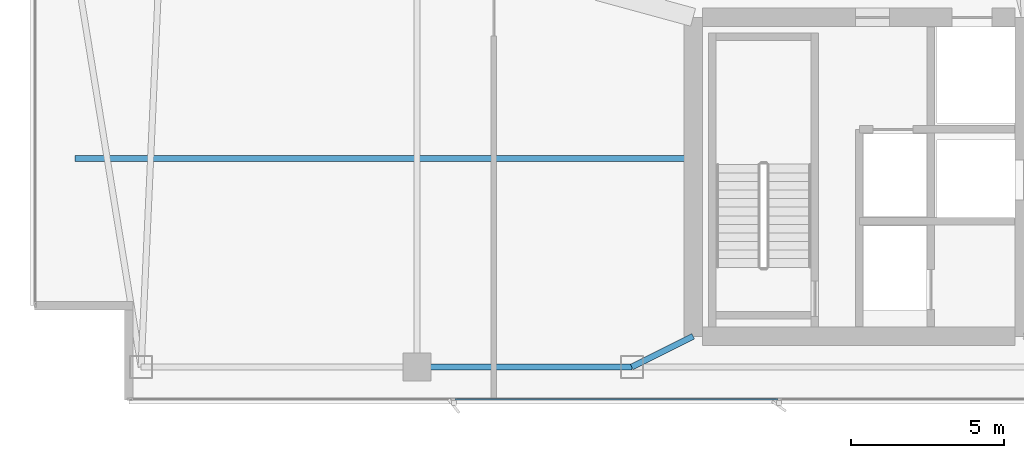
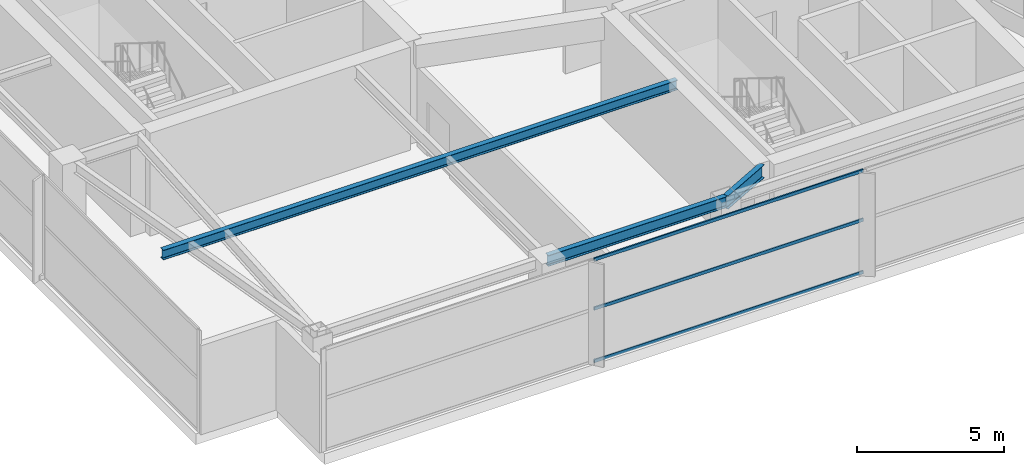
# One storey, part 6 of 25: 3 beams, 3 members, 1 element without a shape of its own.
"""IFC4 building model written with IfcOpenShell, lengths in metres."""

from ifc_helpers import new_model, si_unit, direction, frame, origin, origin_2d, place, context, subcontext, project, spatial, hollow_rectangle, i_section, extrude, material, layer, layer_set, material_profile, profile_set, type_object, element, aggregate, save


model = new_model("IFC4")

# Units and contexts
model_context = context("Model", 3, precision=1e-05, world=origin(), true_north=direction((0.0, 1.0)))
body_context = subcontext(model_context, "Body", "Model", "MODEL_VIEW")
ifc_project = project(units=[si_unit("LENGTHUNIT", "METRE"), si_unit("AREAUNIT", "SQUARE_METRE"), si_unit("VOLUMEUNIT", "CUBIC_METRE"), si_unit("PLANEANGLEUNIT", "RADIAN"), si_unit("MASSUNIT", "GRAM", prefix="KILO")], contexts=[model_context])

# Site, building, storey
site_placement = place(None, origin())
site = spatial("IfcSite", under=ifc_project, at=site_placement, CompositionType="ELEMENT")
building_placement = place(site_placement, origin())
building = spatial("IfcBuilding", under=site, at=building_placement, Name="Calvorn Quay Hotel", CompositionType="ELEMENT")
storey_placement = place(building_placement, frame((0.0, 0.0, 307.0)))
storey = spatial("IfcBuildingStorey", under=building, at=storey_placement, Name="L76", CompositionType="ELEMENT", Elevation=307.0)

# Beams
ifc_material_1 = material(Name="Steel Q355B", Category="steel")
ifc_material_profile_1 = material_profile(ifc_material_1, i_section(OverallWidth=0.199951171875, OverallDepth=0.550048828125, WebThickness=0.010009765625, FlangeThickness=0.01611328125, FilletRadius=0.01806640625, at=origin_2d()), Name="HN550x200x10x16")
ifc_profile_set_1 = profile_set([ifc_material_profile_1], Name="Steel Q355B")
beam_type_1 = type_object("IfcBeamType", Name="BM-GIRD-UPP", PredefinedType="BEAM", material=ifc_profile_set_1)
beam_1_placement = place(storey_placement, frame((19.60009765625, 3.60009765625, 3.965087890625), z_axis=(0.894427191, 0.4472135955, 0.0), x_axis=(-0.4472135955, 0.894427191, 0.0)))
element("IfcBeam", 1, at=beam_1_placement, inside=storey, type_object=beam_type_1, Name="Beam BG-L76-S2", PredefinedType="BEAM", context=body_context, shape_type="SweptSolid", body=[
    extrude(i_section(OverallWidth=0.199951171875, OverallDepth=0.550048828125, WebThickness=0.010009765625, FlangeThickness=0.01611328125, FilletRadius=0.01806640625, at=origin_2d()), origin(), (0.0, 0.0, 1.0), 2.236083984375),
])
ifc_material_2 = material(Name="Steel Q355B", Category="steel")
ifc_material_profile_2 = material_profile(ifc_material_2, i_section(OverallWidth=0.199951171875, OverallDepth=0.39990234375, WebThickness=0.008056640625, FlangeThickness=0.012939453125, FilletRadius=0.01611328125, at=origin_2d()), Name="HN400x200x8x13")
ifc_profile_set_2 = profile_set([ifc_material_profile_2], Name="Steel Q355B")
beam_type_2 = type_object("IfcBeamType", Name="BM-JOIST-TYP", PredefinedType="JOIST", material=ifc_profile_set_2)
beam_2_placement = place(storey_placement, frame((1.449951171875, 10.39990234375, 4.0400390625), z_axis=(1.0, 0.0, 0.0), x_axis=(0.0, 1.0, 0.0)))
element("IfcBeam", 2, at=beam_2_placement, inside=storey, type_object=beam_type_2, Name="Beam BJ-L76-W1", PredefinedType="JOIST", context=body_context, shape_type="SweptSolid", body=[
    extrude(i_section(OverallWidth=0.199951171875, OverallDepth=0.39990234375, WebThickness=0.008056640625, FlangeThickness=0.012939453125, FilletRadius=0.01611328125, at=origin_2d()), origin(), (0.0, 0.0, 1.0), 20.150146484375),
])
ifc_material_3 = material(Name="Steel Q355B", Category="steel")
ifc_material_profile_3 = material_profile(ifc_material_3, i_section(OverallWidth=0.199951171875, OverallDepth=0.449951171875, WebThickness=0.009033203125, FlangeThickness=0.013916015625, FilletRadius=0.01611328125, at=origin_2d()), Name="HN450x200x9x14")
ifc_profile_set_3 = profile_set([ifc_material_profile_3], Name="Steel Q355B")
beam_type_3 = type_object("IfcBeamType", Name="BM-SPANDREL-Z3", PredefinedType="SPANDREL", material=ifc_profile_set_3)
beam_3_placement = place(storey_placement, frame((12.60009765625, 3.60009765625, 4.014892578125), z_axis=(1.0, 0.0, 0.0), x_axis=(0.0, 1.0, 0.0)))
element("IfcBeam", 3, at=beam_3_placement, inside=storey, type_object=beam_type_3, Name="Beam BSP-L76-S2", PredefinedType="SPANDREL", context=body_context, shape_type="SweptSolid", body=[
    extrude(i_section(OverallWidth=0.199951171875, OverallDepth=0.449951171875, WebThickness=0.009033203125, FlangeThickness=0.013916015625, FilletRadius=0.01611328125, at=origin_2d()), origin(), (0.0, 0.0, 1.0), 7.0),
])

# Curtain wall, members
ifc_material_4 = material(Name="Champagne Bronze Anodised Aluminium and Low-E Glass", Category="aluminium")
ifc_layer = layer(ifc_material_4, 0.219970703125)
ifc_layer_set = layer_set([ifc_layer], Name="CW-SYS-Z4")
curtain_wall_type = type_object("IfcCurtainWallType", Name="CW-SYS-Z4", PredefinedType="NOTDEFINED", material=ifc_layer_set)
curtain_wall_placement = place(storey_placement, origin())
curtain_wall = element("IfcCurtainWall", 4, at=curtain_wall_placement, inside=storey, type_object=curtain_wall_type, Name="Tower South Waterfront Curtain Wall (L76)", PredefinedType="NOTDEFINED")
ifc_material_5 = material(Name="Champagne Bronze Anodised Aluminium 6063-T6", Category="aluminium")
ifc_material_profile_4 = material_profile(ifc_material_5, hollow_rectangle(XDim=0.054931640625, YDim=0.1298828125, WallThickness=0.003173828125, at=origin_2d()), Name="ALU-T130x55x3.2")
ifc_profile_set_4 = profile_set([ifc_material_profile_4], Name="Champagne Bronze Anodised Aluminium 6063-T6")
member_type = type_object("IfcMemberType", Name="CW-SYS-Z4-TRN", PredefinedType="USERDEFINED", material=ifc_profile_set_4)
member_1_placement = place(storey_placement, frame((13.830078125, 2.550048828125, 0.030029296875), z_axis=(1.0, 0.0, 0.0), x_axis=(0.0, 1.0, 0.0)))
member_1 = element("IfcMember", 5, at=member_1_placement, type_object=member_type, Name="CW-L76-S transom 2.1", ObjectType="TRANSOM", PredefinedType="USERDEFINED", context=body_context, shape_type="SweptSolid", body=[
    extrude(hollow_rectangle(XDim=0.054931640625, YDim=0.1298828125, WallThickness=0.003173828125, at=origin_2d()), origin(), (0.0, 0.0, 1.0), 10.5400390625),
])
member_2_placement = place(storey_placement, frame((13.830078125, 2.550048828125, 2.199951171875), z_axis=(1.0, 0.0, 0.0), x_axis=(0.0, 1.0, 0.0)))
member_2 = element("IfcMember", 6, at=member_2_placement, type_object=member_type, Name="CW-L76-S transom 2.2", ObjectType="TRANSOM", PredefinedType="USERDEFINED", context=body_context, shape_type="SweptSolid", body=[
    extrude(hollow_rectangle(XDim=0.054931640625, YDim=0.1298828125, WallThickness=0.003173828125, at=origin_2d()), origin(), (0.0, 0.0, 1.0), 10.5400390625),
])
member_3_placement = place(storey_placement, frame((13.830078125, 2.550048828125, 4.22998046875), z_axis=(1.0, 0.0, 0.0), x_axis=(0.0, 1.0, 0.0)))
member_3 = element("IfcMember", 7, at=member_3_placement, type_object=member_type, Name="CW-L76-S transom 2.3", ObjectType="TRANSOM", PredefinedType="USERDEFINED", context=body_context, shape_type="SweptSolid", body=[
    extrude(hollow_rectangle(XDim=0.054931640625, YDim=0.1298828125, WallThickness=0.003173828125, at=origin_2d()), origin(), (0.0, 0.0, 1.0), 10.5400390625),
])
aggregate(curtain_wall, [member_1, member_2, member_3])

save(model, "model.ifc")
